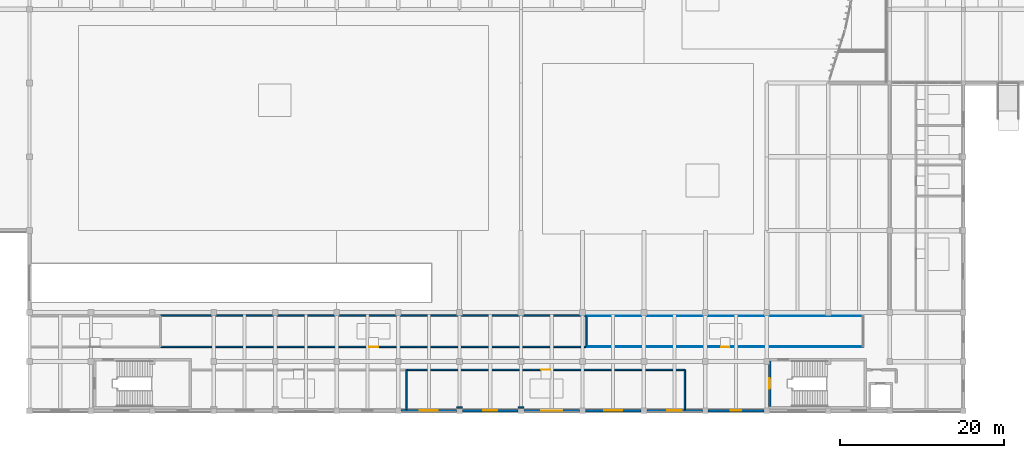
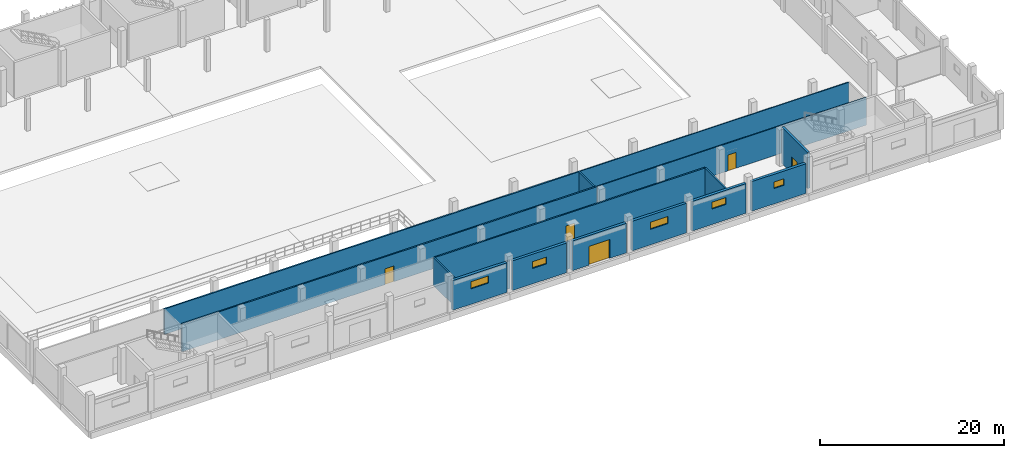
# One storey, part 44 of 72: 17 walls, 5 doors, 5 windows, 10 openings.
"""IFC4 building model written with IfcOpenShell, lengths in metres."""

from ifc_helpers import new_model, si_unit, direction, frame, frame_2d, origin, place, context, subcontext, project, spatial, rectangle, extrude, material, layer, layer_set, type_object, element, fill, save


model = new_model("IFC4")

# Units and contexts
model_context = context("Model", 3, precision=1e-05, world=origin(), true_north=direction((0.0, 1.0)))
body_context = subcontext(model_context, "Body", "Model", "MODEL_VIEW")
ifc_project = project(units=[si_unit("LENGTHUNIT", "METRE"), si_unit("AREAUNIT", "SQUARE_METRE"), si_unit("VOLUMEUNIT", "CUBIC_METRE"), si_unit("PLANEANGLEUNIT", "RADIAN"), si_unit("MASSUNIT", "GRAM", prefix="KILO")], contexts=[model_context])

# Site, building, storey
site_placement = place(None, origin())
site = spatial("IfcSite", under=ifc_project, at=site_placement, CompositionType="ELEMENT")
building_placement = place(site_placement, origin())
building = spatial("IfcBuilding", under=site, at=building_placement, Name="Vourika Railside Aquatics Centre", CompositionType="ELEMENT")
storey_placement = place(building_placement, origin())
storey = spatial("IfcBuildingStorey", under=building, at=storey_placement, Name="L00", CompositionType="ELEMENT", Elevation=0.0)

# Wall, opening, door
ifc_material_1 = material(Name="Concrete C40/50", Category="concrete")
ifc_layer_1 = layer(ifc_material_1, 0.300048828125, Name="WL-CORE")
ifc_layer_set_1 = layer_set([ifc_layer_1], Name="Concrete C40/50")
wall_type_1 = type_object("IfcWallType", Name="WL-CORE", PredefinedType="SHEAR", material=ifc_layer_set_1)
wall_1_placement = place(storey_placement, frame((126.35009765625, 6.10009765625, 0.0), z_axis=(0.0, 0.0, 1.0), x_axis=(0.0, -1.0, 0.0)))
wall_1 = element("IfcWall", 1, at=wall_1_placement, inside=storey, type_object=wall_type_1, Name="Protected Exit Stair Core ST06 West Wall (L00)", PredefinedType="SHEAR", context=body_context, shape_type="SweptSolid", body=[
    extrude(rectangle(XDim=5.60009765625, YDim=0.300048828125, at=frame_2d((2.800048828125, 0.0))), origin(), (0.0, 0.0, 1.0), 4.800048828125),
])
opening_1_placement = place(wall_1_placement, frame((2.14990234375, 0.0, 0.0)))
opening_1 = element("IfcOpeningElement", 2, at=opening_1_placement, cuts=wall_1, Name="Opening DF02", PredefinedType="OPENING", context=body_context, shape_type="SweptSolid", body=[
    extrude(rectangle(XDim=1.25, YDim=2.14990234375, at=frame_2d((0.625, 1.074951171875))), frame((0.0, 0.16015625, 0.0), z_axis=(0.0, -1.0, 0.0), x_axis=(1.0, 0.0, 0.0)), (0.0, 0.0, 1.0), 0.320068359375),
])
ifc_material_2 = material(Name="Fire-rated wide exit stair door")
door_type_1 = type_object("IfcDoorType", Name="DR-FD60-125", OperationType="NOTDEFINED", PredefinedType="DOOR", material=ifc_material_2)
door_1_placement = place(opening_1_placement, origin())
door_1 = element("IfcDoor", 3, at=door_1_placement, inside=storey, type_object=door_type_1, Name="Protected Exit Stair Core ST06 Grade Exit Vestibule Door", OperationType="SINGLE_SWING_RIGHT", OverallHeight=2.14990234375, OverallWidth=1.25, PredefinedType="DOOR", context=body_context, shape_type="SweptSolid", body=[
    extrude(rectangle(XDim=1.25, YDim=2.14990234375, at=frame_2d((0.625, 1.074951171875))), frame((0.0, 0.02490234375, 0.0), z_axis=(0.0, -1.0, 0.0), x_axis=(1.0, 0.0, 0.0)), (0.0, 0.0, 1.0), 0.050048828125),
])
fill(opening_1, door_1)

# Wall, opening, window
ifc_material_3 = material(Name="Precast concrete C40/50", Category="concrete")
ifc_layer_2 = layer(ifc_material_3, 0.340087890625, Name="WL-EXT-340")
ifc_layer_set_2 = layer_set([ifc_layer_2], Name="Precast concrete C40/50")
wall_type_2 = type_object("IfcWallType", Name="WL-EXT-340", PredefinedType="SOLIDWALL", material=ifc_layer_set_2)
wall_2_placement = place(storey_placement, frame((81.35009765625, 0.0, 0.0), z_axis=(0.0, 0.0, 1.0), x_axis=(1.0, 0.0, 0.0)))
wall_2 = element("IfcWall", 4, at=wall_2_placement, inside=storey, type_object=wall_type_2, Name="Changing Village South Precast Wall L00-7", PredefinedType="SOLIDWALL", context=body_context, shape_type="SweptSolid", body=[
    extrude(rectangle(XDim=6.7998046875, YDim=0.340087890625, at=frame_2d((3.39990234375, 0.0))), origin(), (0.0, 0.0, 1.0), 3.929931640625),
])
opening_2_placement = place(wall_2_placement, frame((2.300048828125, 0.0, 2.050048828125)))
opening_2 = element("IfcOpeningElement", 5, at=opening_2_placement, cuts=wall_2, Name="Opening W17", PredefinedType="OPENING", context=body_context, shape_type="SweptSolid", body=[
    extrude(rectangle(XDim=2.199951171875, YDim=0.949951171875, at=frame_2d((1.10009765625, 0.47509765625))), frame((0.0, 0.18017578125, 0.0), z_axis=(0.0, -1.0, 0.0), x_axis=(1.0, 0.0, 0.0)), (0.0, 0.0, 1.0), 0.360107421875),
])
ifc_material_4 = material(Name="Laminated solar-control glass", Category="glass")
window_type_1 = type_object("IfcWindowType", Name="WN-CHG-220x095", PartitioningType="DOUBLE_PANEL_HORIZONTAL", PredefinedType="WINDOW", material=ifc_material_4)
window_1_placement = place(opening_2_placement, origin())
window_1 = element("IfcWindow", 6, at=window_1_placement, inside=storey, type_object=window_type_1, Name="Changing High-Level Privacy Window L00-7", OverallHeight=0.949951171875, OverallWidth=2.199951171875, PartitioningType="SINGLE_PANEL", PredefinedType="WINDOW", context=body_context, shape_type="SweptSolid", body=[
    extrude(rectangle(XDim=2.199951171875, YDim=0.949951171875, at=frame_2d((1.10009765625, 0.47509765625))), frame((0.0, 0.030029296875, 0.0), z_axis=(0.0, -1.0, 0.0), x_axis=(1.0, 0.0, 0.0)), (0.0, 0.0, 1.0), 0.06005859375),
])
fill(opening_2, window_1)

wall_3_placement = place(storey_placement, frame((88.85009765625, 0.0, 0.0), z_axis=(0.0, 0.0, 1.0), x_axis=(1.0, 0.0, 0.0)))
wall_3 = element("IfcWall", 7, at=wall_3_placement, inside=storey, type_object=wall_type_2, Name="Changing Village South Precast Wall L00-8", PredefinedType="SOLIDWALL", context=body_context, shape_type="SweptSolid", body=[
    extrude(rectangle(XDim=6.7998046875, YDim=0.340087890625, at=frame_2d((3.39990234375, 0.0))), origin(), (0.0, 0.0, 1.0), 3.929931640625),
])
opening_3_placement = place(wall_3_placement, frame((2.52490234375, 0.0, 2.050048828125)))
opening_3 = element("IfcOpeningElement", 8, at=opening_3_placement, cuts=wall_3, Name="Opening W18", PredefinedType="OPENING", context=body_context, shape_type="SweptSolid", body=[
    extrude(rectangle(XDim=1.75, YDim=0.89990234375, at=frame_2d((0.875, 0.449951171875))), frame((0.0, 0.18017578125, 0.0), z_axis=(0.0, -1.0, 0.0), x_axis=(1.0, 0.0, 0.0)), (0.0, 0.0, 1.0), 0.360107421875),
])
window_type_2 = type_object("IfcWindowType", Name="WN-CHG-175x090", PartitioningType="DOUBLE_PANEL_HORIZONTAL", PredefinedType="WINDOW", material=ifc_material_4)
window_2_placement = place(opening_3_placement, origin())
window_2 = element("IfcWindow", 9, at=window_2_placement, inside=storey, type_object=window_type_2, Name="Changing High-Level Privacy Window L00-8", OverallHeight=0.89990234375, OverallWidth=1.75, PartitioningType="SINGLE_PANEL", PredefinedType="WINDOW", context=body_context, shape_type="SweptSolid", body=[
    extrude(rectangle(XDim=1.75, YDim=0.89990234375, at=frame_2d((0.875, 0.449951171875))), frame((0.0, 0.030029296875, 0.0), z_axis=(0.0, -1.0, 0.0), x_axis=(1.0, 0.0, 0.0)), (0.0, 0.0, 1.0), 0.06005859375),
])
fill(opening_3, window_2)

# Wall, opening, door
wall_4_placement = place(storey_placement, frame((96.35009765625, 0.0, 0.0), z_axis=(0.0, 0.0, 1.0), x_axis=(1.0, 0.0, 0.0)))
wall_4 = element("IfcWall", 10, at=wall_4_placement, inside=storey, type_object=wall_type_2, Name="Changing Village South Precast Wall L00-9", PredefinedType="SOLIDWALL", context=body_context, shape_type="SweptSolid", body=[
    extrude(rectangle(XDim=6.7998046875, YDim=0.340087890625, at=frame_2d((3.39990234375, 0.0))), origin(), (0.0, 0.0, 1.0), 3.929931640625),
])
opening_4_placement = place(wall_4_placement, frame((2.10009765625, 0.0, 0.0)))
opening_4 = element("IfcOpeningElement", 11, at=opening_4_placement, cuts=wall_4, Name="Opening DE01", PredefinedType="OPENING", context=body_context, shape_type="SweptSolid", body=[
    extrude(rectangle(XDim=2.60009765625, YDim=2.5, at=frame_2d((1.300048828125, 1.25))), frame((0.0, 0.18017578125, 0.0), z_axis=(0.0, -1.0, 0.0), x_axis=(1.0, 0.0, 0.0)), (0.0, 0.0, 1.0), 0.360107421875),
])
ifc_material_5 = material(Name="Anodized aluminium", Category="aluminium")
door_type_2 = type_object("IfcDoorType", Name="DR-EXT-DBL260", OperationType="DOUBLE_DOOR_SINGLE_SWING", PredefinedType="DOOR", material=ifc_material_5)
door_2_placement = place(opening_4_placement, frame((2.60009765625, 0.0, 0.0), z_axis=(0.0, 0.0, 1.0), x_axis=(-1.0, 0.0, 0.0)))
door_2 = element("IfcDoor", 12, at=door_2_placement, inside=storey, type_object=door_type_2, Name="South Boulevard Athlete Exit Door 9", OperationType="DOUBLE_DOOR_SINGLE_SWING", OverallHeight=2.5, OverallWidth=2.60009765625, PredefinedType="DOOR", context=body_context, shape_type="SweptSolid", body=[
    extrude(rectangle(XDim=2.60009765625, YDim=2.5, at=frame_2d((1.300048828125, 1.25))), frame((0.0, 0.02490234375, 0.0), z_axis=(0.0, -1.0, 0.0), x_axis=(1.0, 0.0, 0.0)), (0.0, 0.0, 1.0), 0.050048828125),
])
fill(opening_4, door_2)

# Wall, opening, window
wall_5_placement = place(storey_placement, frame((103.85009765625, 0.0, 0.0), z_axis=(0.0, 0.0, 1.0), x_axis=(1.0, 0.0, 0.0)))
wall_5 = element("IfcWall", 13, at=wall_5_placement, inside=storey, type_object=wall_type_2, Name="Changing Village South Precast Wall L00-10", PredefinedType="SOLIDWALL", context=body_context, shape_type="SweptSolid", body=[
    extrude(rectangle(XDim=6.7998046875, YDim=0.340087890625, at=frame_2d((3.39990234375, 0.0))), origin(), (0.0, 0.0, 1.0), 3.929931640625),
])
opening_5_placement = place(wall_5_placement, frame((2.300048828125, 0.0, 2.050048828125)))
opening_5 = element("IfcOpeningElement", 14, at=opening_5_placement, cuts=wall_5, Name="Opening W17", PredefinedType="OPENING", context=body_context, shape_type="SweptSolid", body=[
    extrude(rectangle(XDim=2.199951171875, YDim=0.949951171875, at=frame_2d((1.10009765625, 0.47509765625))), frame((0.0, 0.18017578125, 0.0), z_axis=(0.0, -1.0, 0.0), x_axis=(1.0, 0.0, 0.0)), (0.0, 0.0, 1.0), 0.360107421875),
])
window_3_placement = place(opening_5_placement, origin())
window_3 = element("IfcWindow", 15, at=window_3_placement, inside=storey, type_object=window_type_1, Name="Changing High-Level Privacy Window L00-10", OverallHeight=0.949951171875, OverallWidth=2.199951171875, PartitioningType="SINGLE_PANEL", PredefinedType="WINDOW", context=body_context, shape_type="SweptSolid", body=[
    extrude(rectangle(XDim=2.199951171875, YDim=0.949951171875, at=frame_2d((1.10009765625, 0.47509765625))), frame((0.0, 0.030029296875, 0.0), z_axis=(0.0, -1.0, 0.0), x_axis=(1.0, 0.0, 0.0)), (0.0, 0.0, 1.0), 0.06005859375),
])
fill(opening_5, window_3)

wall_6_placement = place(storey_placement, frame((111.35009765625, 0.0, 0.0), z_axis=(0.0, 0.0, 1.0), x_axis=(1.0, 0.0, 0.0)))
wall_6 = element("IfcWall", 16, at=wall_6_placement, inside=storey, type_object=wall_type_2, Name="Changing Village South Precast Wall L00-11", PredefinedType="SOLIDWALL", context=body_context, shape_type="SweptSolid", body=[
    extrude(rectangle(XDim=6.7998046875, YDim=0.340087890625, at=frame_2d((3.39990234375, 0.0))), origin(), (0.0, 0.0, 1.0), 3.929931640625),
])
opening_6_placement = place(wall_6_placement, frame((2.52490234375, 0.0, 2.050048828125)))
opening_6 = element("IfcOpeningElement", 17, at=opening_6_placement, cuts=wall_6, Name="Opening W18", PredefinedType="OPENING", context=body_context, shape_type="SweptSolid", body=[
    extrude(rectangle(XDim=1.75, YDim=0.89990234375, at=frame_2d((0.875, 0.449951171875))), frame((0.0, 0.18017578125, 0.0), z_axis=(0.0, -1.0, 0.0), x_axis=(1.0, 0.0, 0.0)), (0.0, 0.0, 1.0), 0.360107421875),
])
window_4_placement = place(opening_6_placement, origin())
window_4 = element("IfcWindow", 18, at=window_4_placement, inside=storey, type_object=window_type_2, Name="Changing High-Level Privacy Window L00-11", OverallHeight=0.89990234375, OverallWidth=1.75, PartitioningType="SINGLE_PANEL", PredefinedType="WINDOW", context=body_context, shape_type="SweptSolid", body=[
    extrude(rectangle(XDim=1.75, YDim=0.89990234375, at=frame_2d((0.875, 0.449951171875))), frame((0.0, 0.030029296875, 0.0), z_axis=(0.0, -1.0, 0.0), x_axis=(1.0, 0.0, 0.0)), (0.0, 0.0, 1.0), 0.06005859375),
])
fill(opening_6, window_4)

wall_7_placement = place(storey_placement, frame((118.85009765625, 0.0, 0.0), z_axis=(0.0, 0.0, 1.0), x_axis=(1.0, 0.0, 0.0)))
wall_7 = element("IfcWall", 19, at=wall_7_placement, inside=storey, type_object=wall_type_2, Name="Changing Village South Precast Wall L00-12", PredefinedType="SOLIDWALL", context=body_context, shape_type="SweptSolid", body=[
    extrude(rectangle(XDim=6.7998046875, YDim=0.340087890625, at=frame_2d((3.39990234375, 0.0))), origin(), (0.0, 0.0, 1.0), 3.929931640625),
])
opening_7_placement = place(wall_7_placement, frame((2.75, 0.0, 2.050048828125)))
opening_7 = element("IfcOpeningElement", 20, at=opening_7_placement, cuts=wall_7, Name="Opening W19", PredefinedType="OPENING", context=body_context, shape_type="SweptSolid", body=[
    extrude(rectangle(XDim=1.300048828125, YDim=0.85009765625, at=frame_2d((0.64990234375, 0.425048828125))), frame((0.0, 0.18017578125, 0.0), z_axis=(0.0, -1.0, 0.0), x_axis=(1.0, 0.0, 0.0)), (0.0, 0.0, 1.0), 0.360107421875),
])
window_type_3 = type_object("IfcWindowType", Name="WN-CHG-130x085", PartitioningType="SINGLE_PANEL", PredefinedType="WINDOW", material=ifc_material_4)
window_5_placement = place(opening_7_placement, origin())
window_5 = element("IfcWindow", 21, at=window_5_placement, inside=storey, type_object=window_type_3, Name="Changing High-Level Privacy Window L00-12", OverallHeight=0.85009765625, OverallWidth=1.300048828125, PartitioningType="SINGLE_PANEL", PredefinedType="WINDOW", context=body_context, shape_type="SweptSolid", body=[
    extrude(rectangle(XDim=1.300048828125, YDim=0.85009765625, at=frame_2d((0.64990234375, 0.425048828125))), frame((0.0, 0.030029296875, 0.0), z_axis=(0.0, -1.0, 0.0), x_axis=(1.0, 0.0, 0.0)), (0.0, 0.0, 1.0), 0.06005859375),
])
fill(opening_7, window_5)

# Wall, opening, door
ifc_material_6 = material(Name="Lightweight drylining partition")
ifc_layer_3 = layer(ifc_material_6, 0.1201171875, Name="WL-PART-120")
ifc_layer_set_3 = layer_set([ifc_layer_3], Name="Lightweight drylining partition")
wall_type_3 = type_object("IfcWallType", Name="WL-PART-120", PredefinedType="PARTITIONING", material=ifc_layer_set_3)
wall_8_placement = place(storey_placement, frame((137.800048828125, 7.800048828125, 0.0), z_axis=(0.0, 0.0, 1.0), x_axis=(-1.0, 0.0, 0.0)))
wall_8 = element("IfcWall", 22, at=wall_8_placement, inside=storey, type_object=wall_type_3, Name="Athlete Call Room and Marshalling Suite Partition 1", PredefinedType="PARTITIONING", context=body_context, shape_type="SweptSolid", body=[
    extrude(rectangle(XDim=33.72998046875, YDim=0.1201171875, at=frame_2d((16.864990234375, 0.0))), origin(), (0.0, 0.0, 1.0), 3.679931640625),
])
opening_8_placement = place(wall_8_placement, frame((16.364990234375, 0.0, 0.0)))
opening_8 = element("IfcOpeningElement", 23, at=opening_8_placement, cuts=wall_8, Name="Opening DI01", PredefinedType="OPENING", context=body_context, shape_type="SweptSolid", body=[
    extrude(rectangle(XDim=1.0, YDim=2.10009765625, at=frame_2d((0.5, 1.050048828125))), frame((0.0, 0.070068359375, 0.0), z_axis=(0.0, -1.0, 0.0), x_axis=(1.0, 0.0, 0.0)), (0.0, 0.0, 1.0), 0.14013671875),
])
ifc_material_7 = material(Name="Anodized aluminium and laminate door", Category="aluminium")
door_type_3 = type_object("IfcDoorType", Name="DR-INT-1000", OperationType="NOTDEFINED", PredefinedType="DOOR", material=ifc_material_7)
door_3_placement = place(opening_8_placement, origin())
door_3 = element("IfcDoor", 24, at=door_3_placement, inside=storey, type_object=door_type_3, Name="Athlete Call Room and Marshalling Suite Door", OperationType="SINGLE_SWING_LEFT", OverallHeight=2.10009765625, OverallWidth=1.0, PredefinedType="DOOR", context=body_context, shape_type="SweptSolid", body=[
    extrude(rectangle(XDim=1.0, YDim=2.10009765625, at=frame_2d((0.5, 1.050048828125))), frame((0.0, 0.02490234375, 0.0), z_axis=(0.0, -1.0, 0.0), x_axis=(1.0, 0.0, 0.0)), (0.0, 0.0, 1.0), 0.050048828125),
])
fill(opening_8, door_3)

# Walls
wall_9_placement = place(storey_placement, frame((104.070068359375, 11.60009765625, 0.0), z_axis=(0.0, 0.0, 1.0), x_axis=(1.0, 0.0, 0.0)))
element("IfcWall", 25, at=wall_9_placement, inside=storey, type_object=wall_type_3, Name="Athlete Call Room and Marshalling Suite Partition 2", PredefinedType="PARTITIONING", context=body_context, shape_type="SweptSolid", body=[
    extrude(rectangle(XDim=33.72998046875, YDim=0.1201171875, at=frame_2d((16.864990234375, 0.0))), origin(), (0.0, 0.0, 1.0), 3.375),
])
ifc_material_8 = material(Name="Moisture-resistant wet-village blockwork", Category="masonry")
ifc_layer_4 = layer(ifc_material_8, 0.179931640625, Name="WL-PART-180")
ifc_layer_set_4 = layer_set([ifc_layer_4], Name="Moisture-resistant wet-village blockwork")
wall_type_4 = type_object("IfcWallType", Name="WL-PART-180", PredefinedType="PARTITIONING", material=ifc_layer_set_4)
wall_10_placement = place(storey_placement, frame((82.0, 5.0, 0.0), z_axis=(0.0, 0.0, 1.0), x_axis=(0.0, -1.0, 0.0)))
element("IfcWall", 26, at=wall_10_placement, inside=storey, type_object=wall_type_4, Name="Public Wet and Dry Changing Village West Partition 2", PredefinedType="PARTITIONING", context=body_context, shape_type="SweptSolid", body=[
    extrude(rectangle(XDim=4.85009765625, YDim=0.179931640625, at=frame_2d((2.425048828125, 0.0))), origin(), (0.0, 0.0, 1.0), 3.679931640625),
])

# Wall, opening, door
wall_11_placement = place(storey_placement, frame((82.070068359375, 5.0, 0.0), z_axis=(0.0, 0.0, 1.0), x_axis=(1.0, 0.0, 0.0)))
wall_11 = element("IfcWall", 27, at=wall_11_placement, inside=storey, type_object=wall_type_4, Name="Public Wet and Dry Changing Village East Partition 1", PredefinedType="PARTITIONING", context=body_context, shape_type="SweptSolid", body=[
    extrude(rectangle(XDim=33.929931640625, YDim=0.179931640625, at=frame_2d((16.96484375, 0.0))), origin(), (0.0, 0.0, 1.0), 3.679931640625),
])
opening_9_placement = place(wall_11_placement, frame((16.4150390625, 0.0, 0.0)))
opening_9 = element("IfcOpeningElement", 28, at=opening_9_placement, cuts=wall_11, Name="Opening DI02", PredefinedType="OPENING", context=body_context, shape_type="SweptSolid", body=[
    extrude(rectangle(XDim=1.10009765625, YDim=2.10009765625, at=frame_2d((0.550048828125, 1.050048828125))), frame((0.0, 0.10009765625, 0.0), z_axis=(0.0, -1.0, 0.0), x_axis=(1.0, 0.0, 0.0)), (0.0, 0.0, 1.0), 0.199951171875),
])
ifc_material_9 = material(Name="Accessible clinic and studio door")
door_type_4 = type_object("IfcDoorType", Name="DR-INT-1100", OperationType="NOTDEFINED", PredefinedType="DOOR", material=ifc_material_9)
door_4_placement = place(opening_9_placement, origin())
door_4 = element("IfcDoor", 29, at=door_4_placement, inside=storey, type_object=door_type_4, Name="Public Wet and Dry Changing Village East Door", OperationType="SINGLE_SWING_LEFT", OverallHeight=2.10009765625, OverallWidth=1.10009765625, PredefinedType="DOOR", context=body_context, shape_type="SweptSolid", body=[
    extrude(rectangle(XDim=1.10009765625, YDim=2.10009765625, at=frame_2d((0.550048828125, 1.050048828125))), frame((0.0, 0.02490234375, 0.0), z_axis=(0.0, -1.0, 0.0), x_axis=(1.0, 0.0, 0.0)), (0.0, 0.0, 1.0), 0.050048828125),
])
fill(opening_9, door_4)

# Walls
wall_12_placement = place(storey_placement, frame((116.0, 5.0, 0.0), z_axis=(0.0, 0.0, 1.0), x_axis=(0.0, -1.0, 0.0)))
element("IfcWall", 30, at=wall_12_placement, inside=storey, type_object=wall_type_4, Name="Public Wet and Dry Changing Village East Partition 3", PredefinedType="PARTITIONING", context=body_context, shape_type="SweptSolid", body=[
    extrude(rectangle(XDim=4.85009765625, YDim=0.179931640625, at=frame_2d((2.425048828125, 0.0))), origin(), (0.0, 0.0, 1.0), 3.679931640625),
])
for number, where, z_axis, x_axis, name in (
    (31, (96.35009765625, 0.39990234375, 0.0), (0.0, 0.0, 1.0), (-1.0, 0.0, 0.0), "Public Wet and Dry Changing Village East Partition 4"),
    (32, (88.85009765625, 0.39990234375, 0.0), (0.0, 0.0, 1.0), (-1.0, 0.0, 0.0), "Public Wet and Dry Changing Village East Partition 5"),
):
    element("IfcWall", number, at=place(storey_placement, frame(where, z_axis=z_axis, x_axis=x_axis)), inside=storey, type_object=wall_type_4, Name=name, PredefinedType="PARTITIONING", context=body_context, shape_type="SweptSolid", body=[
        extrude(rectangle(XDim=0.7001953125, YDim=0.179931640625, at=frame_2d((0.35009765625, 0.0))), origin(), (0.0, 0.0, 1.0), 3.679931640625),
    ])

# Wall, opening, door
wall_13_placement = place(storey_placement, frame((104.0, 7.800048828125, 0.0), z_axis=(0.0, 0.0, 1.0), x_axis=(-1.0, 0.0, 0.0)))
wall_13 = element("IfcWall", 33, at=wall_13_placement, inside=storey, type_object=wall_type_4, Name="Pre-Swim Showers and Pediluve Hygiene Zone Partition 1", PredefinedType="PARTITIONING", context=body_context, shape_type="SweptSolid", body=[
    extrude(rectangle(XDim=52.0, YDim=0.179931640625, at=frame_2d((26.0, 0.0))), origin(), (0.0, 0.0, 1.0), 3.679931640625),
])
opening_10_placement = place(wall_13_placement, frame((25.449951171875, 0.0, 0.0)))
opening_10 = element("IfcOpeningElement", 34, at=opening_10_placement, cuts=wall_13, Name="Opening DI02", PredefinedType="OPENING", context=body_context, shape_type="SweptSolid", body=[
    extrude(rectangle(XDim=1.10009765625, YDim=2.10009765625, at=frame_2d((0.550048828125, 1.050048828125))), frame((0.0, 0.10009765625, 0.0), z_axis=(0.0, -1.0, 0.0), x_axis=(1.0, 0.0, 0.0)), (0.0, 0.0, 1.0), 0.199951171875),
])
door_5_placement = place(opening_10_placement, origin())
door_5 = element("IfcDoor", 35, at=door_5_placement, inside=storey, type_object=door_type_4, Name="Pre-Swim Showers and Pediluve Hygiene Zone Door", OperationType="SINGLE_SWING_RIGHT", OverallHeight=2.10009765625, OverallWidth=1.10009765625, PredefinedType="DOOR", context=body_context, shape_type="SweptSolid", body=[
    extrude(rectangle(XDim=1.10009765625, YDim=2.10009765625, at=frame_2d((0.550048828125, 1.050048828125))), frame((0.0, 0.02490234375, 0.0), z_axis=(0.0, -1.0, 0.0), x_axis=(1.0, 0.0, 0.0)), (0.0, 0.0, 1.0), 0.050048828125),
])
fill(opening_10, door_5)

# Walls
wall_14_placement = place(storey_placement, frame((104.0, 11.60009765625, 0.0), z_axis=(0.0, 0.0, 1.0), x_axis=(0.0, -1.0, 0.0)))
element("IfcWall", 36, at=wall_14_placement, inside=storey, type_object=wall_type_4, Name="Pre-Swim Showers and Pediluve Hygiene Zone Partition 3", PredefinedType="PARTITIONING", context=body_context, shape_type="SweptSolid", body=[
    extrude(rectangle(XDim=3.800048828125, YDim=0.179931640625, at=frame_2d((1.89990234375, 0.0))), origin(), (0.0, 0.0, 1.0), 3.375),
])
wall_15_placement = place(storey_placement, frame((52.0, 11.60009765625, 0.0), z_axis=(0.0, 0.0, 1.0), x_axis=(1.0, 0.0, 0.0)))
element("IfcWall", 37, at=wall_15_placement, inside=storey, type_object=wall_type_4, Name="Pre-Swim Showers and Pediluve Hygiene Zone Partition 4", PredefinedType="PARTITIONING", context=body_context, shape_type="SweptSolid", body=[
    extrude(rectangle(XDim=52.0, YDim=0.179931640625, at=frame_2d((26.0, 0.0))), origin(), (0.0, 0.0, 1.0), 3.375),
])

save(model, "model.ifc")
